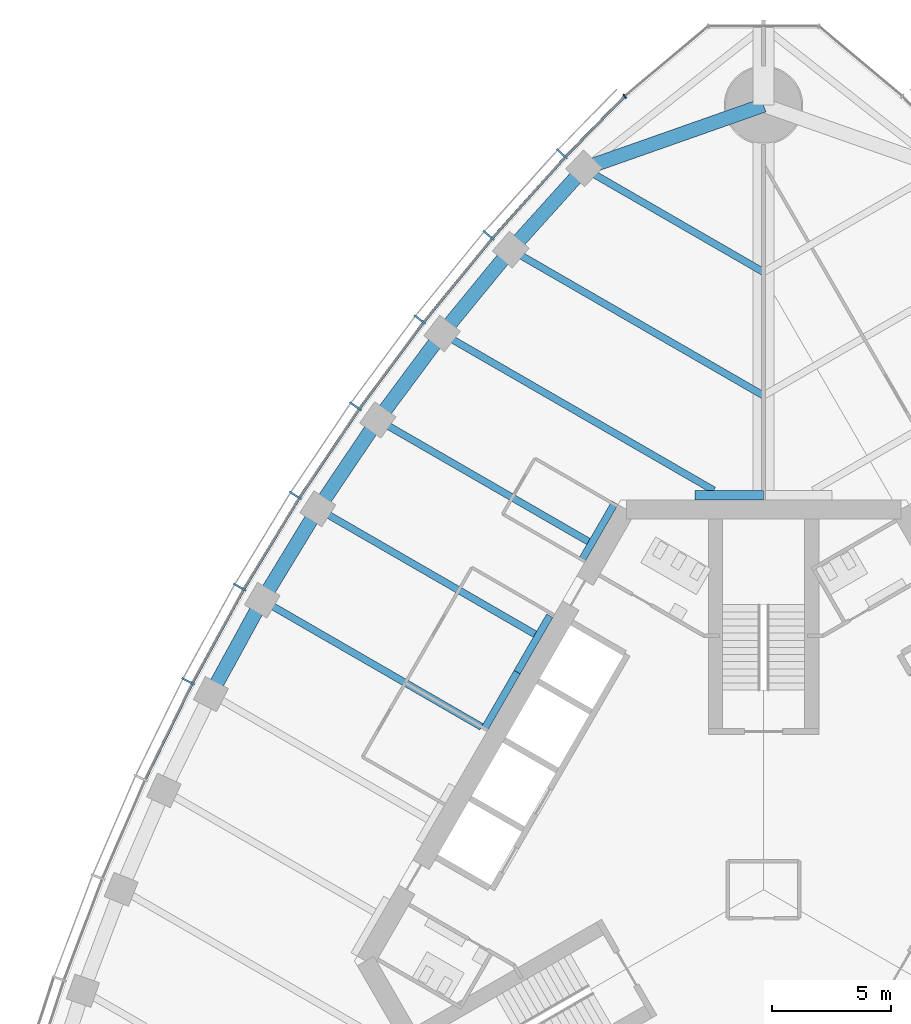
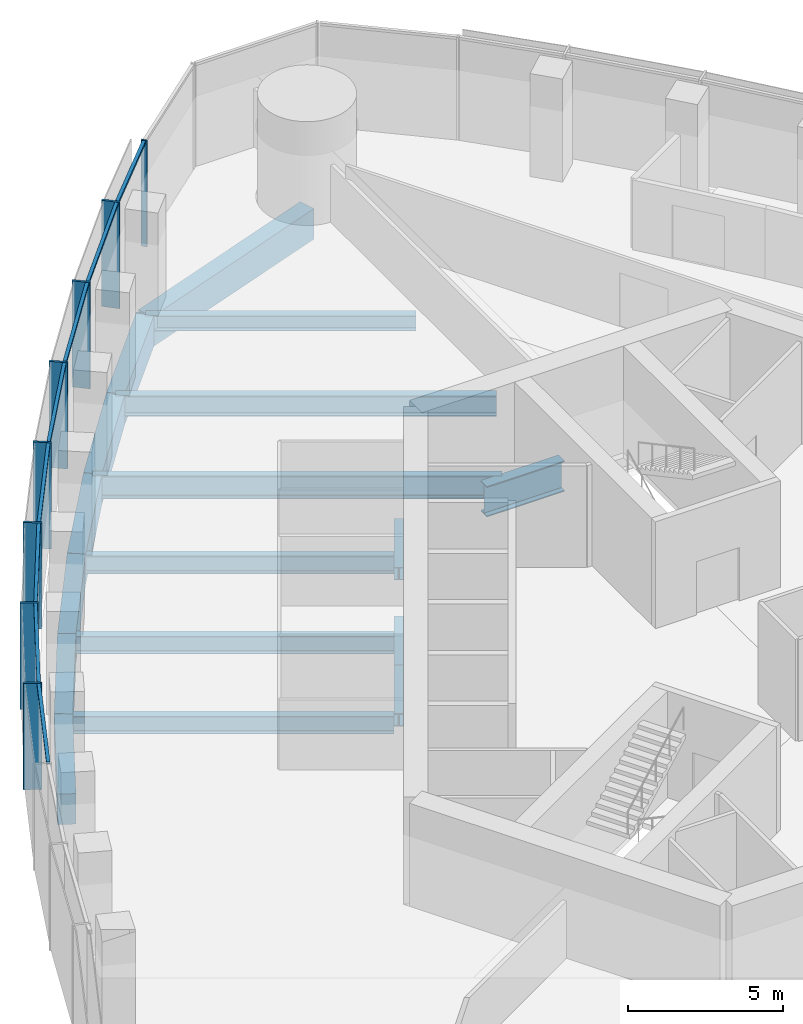
# One storey, part 5 of 20: 17 beams, 16 members, 2 elements without a shape of their own.
"""IFC4 building model written with IfcOpenShell, lengths in metres."""

from ifc_helpers import new_model, si_unit, direction, frame, origin, origin_2d, place, context, subcontext, project, spatial, rectangle, i_section, extrude, material, material_profile, profile_set, type_object, element, aggregate, save


model = new_model("IFC4")

# Units and contexts
model_context = context("Model", 3, precision=1e-05, world=origin(), true_north=direction((0.0, 1.0)))
body_context = subcontext(model_context, "Body", "Model", "MODEL_VIEW")
ifc_project = project(units=[si_unit("LENGTHUNIT", "METRE"), si_unit("AREAUNIT", "SQUARE_METRE"), si_unit("VOLUMEUNIT", "CUBIC_METRE"), si_unit("PLANEANGLEUNIT", "RADIAN"), si_unit("MASSUNIT", "GRAM", prefix="KILO")], contexts=[model_context])

# Site, building, storey
site_placement = place(None, origin())
site = spatial("IfcSite", under=ifc_project, at=site_placement, CompositionType="ELEMENT")
building_placement = place(site_placement, origin())
building = spatial("IfcBuilding", under=site, at=building_placement, Name="Trefoil Bronze Tower", CompositionType="ELEMENT")
storey_placement = place(building_placement, frame((0.0, 0.0, 210.699951171875)))
storey = spatial("IfcBuildingStorey", under=building, at=storey_placement, Name="L48", CompositionType="ELEMENT", Elevation=210.699951171875)

# Curtain wall, members
ifc_material_1 = material(Name="Tinted solar-control glass", Category="glass")
curtain_wall_type_1 = type_object("IfcCurtainWallType", Name="Bronze office curtain wall", PredefinedType="USERDEFINED", material=ifc_material_1)
curtain_wall_1_placement = place(storey_placement, origin())
curtain_wall_1 = element("IfcCurtainWall", 1, at=curtain_wall_1_placement, inside=storey, type_object=curtain_wall_type_1, Name="CW-A L48 F3", ObjectType="CURTAIN WALL", PredefinedType="USERDEFINED")
ifc_material_2 = material(Name="Bronze-finish aluminium", Category="aluminium")
ifc_material_profile_1 = material_profile(ifc_material_2, rectangle(XDim=0.60009765625, YDim=0.080078125, at=origin_2d()), Name="CW-A mullion")
ifc_profile_set_1 = profile_set([ifc_material_profile_1], Name="Bronze-finish aluminium")
member_type_1 = type_object("IfcMemberType", Name="Bronze office curtain wall mullion", PredefinedType="MULLION", material=ifc_profile_set_1)
member_1_placement = place(storey_placement, frame((-8.482177734375, 30.95654296875, 0.0), z_axis=(0.0, 0.0, 1.0), x_axis=(0.729859580661, -0.683597098091, 0.0)))
member_1 = element("IfcMember", 2, at=member_1_placement, type_object=member_type_1, Name="CW-A L48 F3 mullion 2", PredefinedType="MULLION", context=body_context, shape_type="SweptSolid", body=[
    extrude(rectangle(XDim=0.60009765625, YDim=0.080078125, at=origin_2d()), origin(), (0.0, 0.0, 1.0), 4.179931640625),
])
member_2_placement = place(storey_placement, frame((-11.564697265625, 27.525146484375, 0.0), z_axis=(0.0, 0.0, 1.0), x_axis=(0.75935470958, -0.650676897576, 0.0)))
member_2 = element("IfcMember", 3, at=member_2_placement, type_object=member_type_1, Name="CW-A L48 F3 mullion 3", PredefinedType="MULLION", context=body_context, shape_type="SweptSolid", body=[
    extrude(rectangle(XDim=0.60009765625, YDim=0.080078125, at=origin_2d()), origin(), (0.0, 0.0, 1.0), 4.179931640625),
])
member_3_placement = place(storey_placement, frame((-14.45849609375, 23.98388671875, 0.0), z_axis=(0.0, 0.0, 1.0), x_axis=(0.788821461078, -0.614622406476, 0.0)))
member_3 = element("IfcMember", 4, at=member_3_placement, type_object=member_type_1, Name="CW-A L48 F3 mullion 4", PredefinedType="MULLION", context=body_context, shape_type="SweptSolid", body=[
    extrude(rectangle(XDim=0.60009765625, YDim=0.080078125, at=origin_2d()), origin(), (0.0, 0.0, 1.0), 4.179931640625),
])
member_4_placement = place(storey_placement, frame((-17.167236328125, 20.335693359375, 0.0), z_axis=(0.0, 0.0, 1.0), x_axis=(0.81640398396, -0.577481198806, 0.0)))
member_4 = element("IfcMember", 5, at=member_4_placement, type_object=member_type_1, Name="CW-A L48 F3 mullion 5", PredefinedType="MULLION", context=body_context, shape_type="SweptSolid", body=[
    extrude(rectangle(XDim=0.60009765625, YDim=0.080078125, at=origin_2d()), origin(), (0.0, 0.0, 1.0), 4.179931640625),
])
member_5_placement = place(storey_placement, frame((-19.694091796875, 16.58251953125, 0.0), z_axis=(0.0, 0.0, 1.0), x_axis=(0.842132664593, -0.539270410114, 0.0)))
member_5 = element("IfcMember", 6, at=member_5_placement, type_object=member_type_1, Name="CW-A L48 F3 mullion 6", PredefinedType="MULLION", context=body_context, shape_type="SweptSolid", body=[
    extrude(rectangle(XDim=0.60009765625, YDim=0.080078125, at=origin_2d()), origin(), (0.0, 0.0, 1.0), 4.179931640625),
])
member_6_placement = place(storey_placement, frame((-22.041015625, 12.725341796875, 0.0), z_axis=(0.0, 0.0, 1.0), x_axis=(0.866025403784, -0.5, 0.0)))
member_6 = element("IfcMember", 7, at=member_6_placement, type_object=member_type_1, Name="CW-A L48 F3 mullion 7", PredefinedType="MULLION", context=body_context, shape_type="SweptSolid", body=[
    extrude(rectangle(XDim=0.60009765625, YDim=0.080078125, at=origin_2d()), origin(), (0.0, 0.0, 1.0), 4.179931640625),
])
member_7_placement = place(storey_placement, frame((-24.2080078125, 8.764404296875, 0.0), z_axis=(0.0, 0.0, 1.0), x_axis=(0.888088206965, -0.459673075837, 0.0)))
member_7 = element("IfcMember", 8, at=member_7_placement, type_object=member_type_1, Name="CW-A L48 F3 mullion 8", PredefinedType="MULLION", context=body_context, shape_type="SweptSolid", body=[
    extrude(rectangle(XDim=0.60009765625, YDim=0.080078125, at=origin_2d()), origin(), (0.0, 0.0, 1.0), 4.179931640625),
])
ifc_material_3 = material(Name="Bronze-finish aluminium", Category="aluminium")
ifc_material_profile_2 = material_profile(ifc_material_3, rectangle(XDim=0.1201171875, YDim=0.10009765625, at=origin_2d()), Name="CW-A transom")
ifc_profile_set_2 = profile_set([ifc_material_profile_2], Name="Bronze-finish aluminium")
member_type_2 = type_object("IfcMemberType", Name="Bronze office curtain wall transom", PredefinedType="USERDEFINED", material=ifc_profile_set_2)
member_8_placement = place(storey_placement, frame((-5.873046875, 33.342529296875, 4.130126953125), z_axis=(-0.698646935368, -0.715466602785, 0.0), x_axis=(0.715466602785, -0.698646935368, 0.0)))
member_8 = element("IfcMember", 9, at=member_8_placement, type_object=member_type_2, Name="CW-A L48 F3 transom 1", ObjectType="TRANSOM", PredefinedType="USERDEFINED", context=body_context, shape_type="SweptSolid", body=[
    extrude(rectangle(XDim=0.1201171875, YDim=0.10009765625, at=origin_2d()), origin(), (0.0, 0.0, 1.0), 3.483642578125),
])
member_9_placement = place(storey_placement, frame((-8.364501953125, 30.78857421875, 4.130126953125), z_axis=(-0.66825109551, -0.743935799213, 0.0), x_axis=(0.743935799213, -0.66825109551, 0.0)))
member_9 = element("IfcMember", 10, at=member_9_placement, type_object=member_type_2, Name="CW-A L48 F3 transom 2", ObjectType="TRANSOM", PredefinedType="USERDEFINED", context=body_context, shape_type="SweptSolid", body=[
    extrude(rectangle(XDim=0.1201171875, YDim=0.10009765625, at=origin_2d()), origin(), (0.0, 0.0, 1.0), 4.519287109375),
])
member_10_placement = place(storey_placement, frame((-11.439453125, 27.3623046875, 4.130126953125), z_axis=(-0.632756871921, -0.774350528531, 0.0), x_axis=(0.774350528531, -0.632756871921, 0.0)))
member_10 = element("IfcMember", 11, at=member_10_placement, type_object=member_type_2, Name="CW-A L48 F3 transom 3", ObjectType="TRANSOM", PredefinedType="USERDEFINED", context=body_context, shape_type="SweptSolid", body=[
    extrude(rectangle(XDim=0.1201171875, YDim=0.10009765625, at=origin_2d()), origin(), (0.0, 0.0, 1.0), 4.4794921875),
])
member_11_placement = place(storey_placement, frame((-14.325927734375, 23.826904296875, 4.130126953125), z_axis=(-0.59614822717, -0.802874393191, 0.0), x_axis=(0.802874393191, -0.59614822717, 0.0)))
member_11 = element("IfcMember", 12, at=member_11_placement, type_object=member_type_2, Name="CW-A L48 F3 transom 4", ObjectType="TRANSOM", PredefinedType="USERDEFINED", context=body_context, shape_type="SweptSolid", body=[
    extrude(rectangle(XDim=0.1201171875, YDim=0.10009765625, at=origin_2d()), origin(), (0.0, 0.0, 1.0), 4.449951171875),
])
member_12_placement = place(storey_placement, frame((-17.027587890625, 20.18505859375, 4.130126953125), z_axis=(-0.558509087547, -0.829498402125, 0.0), x_axis=(0.829498402125, -0.558509087547, 0.0)))
member_12 = element("IfcMember", 13, at=member_12_placement, type_object=member_type_2, Name="CW-A L48 F3 transom 5", ObjectType="TRANSOM", PredefinedType="USERDEFINED", context=body_context, shape_type="SweptSolid", body=[
    extrude(rectangle(XDim=0.1201171875, YDim=0.10009765625, at=origin_2d()), origin(), (0.0, 0.0, 1.0), 4.4306640625),
])
member_13_placement = place(storey_placement, frame((-19.5478515625, 16.4384765625, 4.130126953125), z_axis=(-0.519740214649, -0.854324358354, 0.0), x_axis=(0.854324358354, -0.519740214649, 0.0)))
member_13 = element("IfcMember", 14, at=member_13_placement, type_object=member_type_2, Name="CW-A L48 F3 transom 6", ObjectType="TRANSOM", PredefinedType="USERDEFINED", context=body_context, shape_type="SweptSolid", body=[
    extrude(rectangle(XDim=0.1201171875, YDim=0.10009765625, at=origin_2d()), origin(), (0.0, 0.0, 1.0), 4.421142578125),
])
member_14_placement = place(storey_placement, frame((-21.887939453125, 12.588134765625, 4.130126953125), z_axis=(-0.479973729071, -0.877282861683, 0.0), x_axis=(0.877282861683, -0.479973729071, 0.0)))
member_14 = element("IfcMember", 15, at=member_14_placement, type_object=member_type_2, Name="CW-A L48 F3 transom 7", ObjectType="TRANSOM", PredefinedType="USERDEFINED", context=body_context, shape_type="SweptSolid", body=[
    extrude(rectangle(XDim=0.1201171875, YDim=0.10009765625, at=origin_2d()), origin(), (0.0, 0.0, 1.0), 4.421142578125),
])
member_15_placement = place(storey_placement, frame((-24.048828125, 8.634521484375, 4.130126953125), z_axis=(-0.439150835991, -0.898413347657, 0.0), x_axis=(0.898413347657, -0.439150835991, 0.0)))
member_15 = element("IfcMember", 16, at=member_15_placement, type_object=member_type_2, Name="CW-A L48 F3 transom 8", ObjectType="TRANSOM", PredefinedType="USERDEFINED", context=body_context, shape_type="SweptSolid", body=[
    extrude(rectangle(XDim=0.1201171875, YDim=0.10009765625, at=origin_2d()), origin(), (0.0, 0.0, 1.0), 4.430908203125),
])
aggregate(curtain_wall_1, [member_1, member_2, member_3, member_4, member_5, member_6, member_7, member_8, member_9, member_10, member_11, member_12, member_13, member_14, member_15])

# Curtain wall, member
ifc_material_4 = material(Name="Tinted solar-control glass", Category="glass")
curtain_wall_type_2 = type_object("IfcCurtainWallType", Name="Bronze rounded corner curtain wall", PredefinedType="USERDEFINED", material=ifc_material_4)
curtain_wall_2_placement = place(storey_placement, origin())
curtain_wall_2 = element("IfcCurtainWall", 17, at=curtain_wall_2_placement, inside=storey, type_object=curtain_wall_type_2, Name="CW-B L48 K2", ObjectType="CURTAIN WALL", PredefinedType="USERDEFINED")
ifc_material_5 = material(Name="Bronze-finish aluminium", Category="aluminium")
ifc_material_profile_3 = material_profile(ifc_material_5, rectangle(XDim=0.199951171875, YDim=0.06005859375, at=origin_2d()), Name="CW-B mullion")
ifc_profile_set_3 = profile_set([ifc_material_profile_3], Name="Bronze-finish aluminium")
member_type_3 = type_object("IfcMemberType", Name="Bronze rounded corner curtain wall mullion", PredefinedType="MULLION", material=ifc_profile_set_3)
member_16_placement = place(storey_placement, frame((-5.837890625, 33.3779296875, 0.0), z_axis=(0.0, 0.0, 1.0), x_axis=(0.642787609687, -0.766044443119, 0.0)))
member_16 = element("IfcMember", 18, at=member_16_placement, type_object=member_type_3, Name="CW-B L48 K2 mullion 4", PredefinedType="MULLION", context=body_context, shape_type="SweptSolid", body=[
    extrude(rectangle(XDim=0.199951171875, YDim=0.06005859375, at=origin_2d()), origin(), (0.0, 0.0, 1.0), 4.179931640625),
])
aggregate(curtain_wall_2, [member_16])

# Beams
ifc_material_6 = material(Name="Steel C355", Category="steel")
ifc_material_profile_4 = material_profile(ifc_material_6, i_section(OverallWidth=0.300048828125, OverallDepth=0.5, WebThickness=0.014404296875, FlangeThickness=0.028076171875, FilletRadius=0.027099609375, at=origin_2d()), Name="HEB 500")
ifc_profile_set_4 = profile_set([ifc_material_profile_4], Name="Steel C355")
beam_type_1 = type_object("IfcBeamType", Name="Core seat beam HEB 500", PredefinedType="BEAM", material=ifc_profile_set_4)
for number, where, z_axis, x_axis, name in (
    (19, (-6.249755859375, 16.27490234375, -0.449951171875), (-0.500035825175, -0.866004719122, 0.0), (0.866004719122, -0.500035825175, 0.0), "Core seat beam F3/-2 L48"),
    (20, (-8.9921875, 11.52490234375, -0.449951171875), (-0.500035825175, -0.866004719122, 0.0), (0.866004719122, -0.500035825175, 0.0), "Core seat beam F3/-1 L48"),
    (21, (-10.363525390625, 9.14990234375, -0.449951171875), (-0.499969057507, -0.866043267704, 0.0), (0.866043267704, -0.499969057507, 0.0), "Core seat beam F3/+0 L48"),
):
    element("IfcBeam", number, at=place(storey_placement, frame(where, z_axis=z_axis, x_axis=x_axis)), inside=storey, type_object=beam_type_1, Name=name, PredefinedType="BEAM", context=body_context, shape_type="SweptSolid", body=[
        extrude(i_section(OverallWidth=0.300048828125, OverallDepth=0.5, WebThickness=0.014404296875, FlangeThickness=0.028076171875, FilletRadius=0.027099609375, at=origin_2d()), origin(), (0.0, 0.0, 1.0), 2.742431640625),
    ])
ifc_material_7 = material(Name="Steel C355", Category="steel")
ifc_material_profile_5 = material_profile(ifc_material_7, i_section(OverallWidth=0.39990234375, OverallDepth=1.199951171875, WebThickness=0.02001953125, FlangeThickness=0.0400390625, FilletRadius=0.010009765625, at=origin_2d()), Name="WPG 1200")
ifc_profile_set_5 = profile_set([ifc_material_profile_5], Name="Steel C355")
beam_type_2 = type_object("IfcBeamType", Name="Core seat beam WPG 1200", PredefinedType="BEAM", material=ifc_profile_set_5)
beam_1_placement = place(storey_placement, frame((0.0, 16.60009765625, -0.800048828125), z_axis=(-1.0, 0.0, 0.0), x_axis=(0.0, -1.0, 0.0)))
element("IfcBeam", 22, at=beam_1_placement, inside=storey, type_object=beam_type_2, Name="Core seat beam F3/-3 L48", PredefinedType="BEAM", context=body_context, shape_type="SweptSolid", body=[
    extrude(i_section(OverallWidth=0.39990234375, OverallDepth=1.199951171875, WebThickness=0.02001953125, FlangeThickness=0.0400390625, FilletRadius=0.010009765625, at=origin_2d()), origin(), (0.0, 0.0, 1.0), 2.88671875),
])
ifc_material_8 = material(Name="Concrete B80", Category="concrete")
ifc_material_profile_6 = material_profile(ifc_material_8, rectangle(XDim=0.60009765625, YDim=1.199951171875, at=origin_2d()), Name="RC 600x1200")
ifc_profile_set_6 = profile_set([ifc_material_profile_6], Name="Concrete B80")
beam_type_3 = type_object("IfcBeamType", Name="End spandrel beam RC 600x1200", PredefinedType="SPANDREL", material=ifc_profile_set_6)
beam_2_placement = place(storey_placement, frame((0.0, 33.0, -0.800048828125), z_axis=(-0.943234397359, -0.332127794137, 0.0), x_axis=(0.332127794137, -0.943234397359, 0.0)))
element("IfcBeam", 23, at=beam_2_placement, inside=storey, type_object=beam_type_3, Name="Spandrel F3.1 L48", PredefinedType="SPANDREL", context=body_context, shape_type="SweptSolid", body=[
    extrude(rectangle(XDim=0.60009765625, YDim=1.199951171875, at=origin_2d()), origin(), (0.0, 0.0, 1.0), 8.006591796875),
])
ifc_material_9 = material(Name="Steel C355", Category="steel")
ifc_material_profile_7 = material_profile(ifc_material_9, i_section(OverallWidth=0.300048828125, OverallDepth=0.590087890625, WebThickness=0.012939453125, FlangeThickness=0.02490234375, FilletRadius=0.027099609375, at=origin_2d()), Name="HEA 600")
ifc_profile_set_7 = profile_set([ifc_material_profile_7], Name="Steel C355")
beam_type_4 = type_object("IfcBeamType", Name="Floor beam HEA 600", PredefinedType="BEAM", material=ifc_profile_set_7)
beam_3_placement = place(storey_placement, frame((-7.552001953125, 30.3408203125, -0.494873046875), z_axis=(0.866027535932, -0.499996306993, 0.0), x_axis=(0.499996306993, 0.866027535932, 0.0)))
element("IfcBeam", 24, at=beam_3_placement, inside=storey, type_object=beam_type_4, Name="Floor beam F3/-5 L48", PredefinedType="BEAM", context=body_context, shape_type="SweptSolid", body=[
    extrude(i_section(OverallWidth=0.300048828125, OverallDepth=0.590087890625, WebThickness=0.012939453125, FlangeThickness=0.02490234375, FilletRadius=0.027099609375, at=origin_2d()), origin(), (0.0, 0.0, 1.0), 8.72021484375),
])
ifc_material_10 = material(Name="Steel C355", Category="steel")
ifc_material_profile_8 = material_profile(ifc_material_10, i_section(OverallWidth=0.300048828125, OverallDepth=0.699951171875, WebThickness=0.01708984375, FlangeThickness=0.031982421875, FilletRadius=0.027099609375, at=origin_2d()), Name="HEB 700")
ifc_profile_set_8 = profile_set([ifc_material_profile_8], Name="Steel C355")
beam_type_5 = type_object("IfcBeamType", Name="Floor beam HEB 700", PredefinedType="BEAM", material=ifc_profile_set_8)
beam_4_placement = place(storey_placement, frame((-16.2265625, 19.7607421875, -0.550048828125), z_axis=(0.866027856548, -0.499995751665, 0.0), x_axis=(0.499995751665, 0.866027856548, 0.0)))
element("IfcBeam", 25, at=beam_4_placement, inside=storey, type_object=beam_type_5, Name="Floor beam F3/-2 L48", PredefinedType="BEAM", context=body_context, shape_type="SweptSolid", body=[
    extrude(i_section(OverallWidth=0.300048828125, OverallDepth=0.699951171875, WebThickness=0.01708984375, FlangeThickness=0.031982421875, FilletRadius=0.027099609375, at=origin_2d()), origin(), (0.0, 0.0, 1.0), 10.23291015625),
])
beam_5_placement = place(storey_placement, frame((-18.748046875, 16.020263671875, -0.550048828125), z_axis=(0.866027918957, -0.499995643569, 0.0), x_axis=(0.499995643569, 0.866027918957, 0.0)))
element("IfcBeam", 26, at=beam_5_placement, inside=storey, type_object=beam_type_5, Name="Floor beam F3/-1 L48", PredefinedType="BEAM", context=body_context, shape_type="SweptSolid", body=[
    extrude(i_section(OverallWidth=0.300048828125, OverallDepth=0.699951171875, WebThickness=0.01708984375, FlangeThickness=0.031982421875, FilletRadius=0.027099609375, at=origin_2d()), origin(), (0.0, 0.0, 1.0), 10.54638671875),
])
beam_6_placement = place(storey_placement, frame((-21.08837890625, 12.17529296875, -0.550048828125), z_axis=(0.866034044198, -0.499985034066, 0.0), x_axis=(0.499985034066, 0.866034044198, 0.0)))
element("IfcBeam", 27, at=beam_6_placement, inside=storey, type_object=beam_type_5, Name="Floor beam F3/+0 L48", PredefinedType="BEAM", context=body_context, shape_type="SweptSolid", body=[
    extrude(i_section(OverallWidth=0.300048828125, OverallDepth=0.699951171875, WebThickness=0.01708984375, FlangeThickness=0.031982421875, FilletRadius=0.027099609375, at=origin_2d()), origin(), (0.0, 0.0, 1.0), 10.650634765625),
])
ifc_material_11 = material(Name="Steel C355", Category="steel")
ifc_material_profile_9 = material_profile(ifc_material_11, i_section(OverallWidth=0.300048828125, OverallDepth=0.800048828125, WebThickness=0.017578125, FlangeThickness=0.032958984375, FilletRadius=0.030029296875, at=origin_2d()), Name="HEB 800")
ifc_profile_set_9 = profile_set([ifc_material_profile_9], Name="Steel C355")
beam_type_6 = type_object("IfcBeamType", Name="Floor beam HEB 800", PredefinedType="BEAM", material=ifc_profile_set_9)
beam_7_placement = place(storey_placement, frame((-10.632080078125, 26.923095703125, -0.599853515625), z_axis=(0.866025635187, -0.499999599199, 0.0), x_axis=(0.499999599199, 0.866025635187, 0.0)))
element("IfcBeam", 28, at=beam_7_placement, inside=storey, type_object=beam_type_6, Name="Floor beam F3/-4 L48", PredefinedType="BEAM", context=body_context, shape_type="SweptSolid", body=[
    extrude(i_section(OverallWidth=0.300048828125, OverallDepth=0.800048828125, WebThickness=0.017578125, FlangeThickness=0.032958984375, FilletRadius=0.030029296875, at=origin_2d()), origin(), (0.0, 0.0, 1.0), 12.27685546875),
])
ifc_material_12 = material(Name="Steel C355", Category="steel")
ifc_material_profile_10 = material_profile(ifc_material_12, i_section(OverallWidth=0.300048828125, OverallDepth=0.89990234375, WebThickness=0.0185546875, FlangeThickness=0.034912109375, FilletRadius=0.030029296875, at=origin_2d()), Name="HEB 900")
ifc_profile_set_10 = profile_set([ifc_material_profile_10], Name="Steel C355")
beam_type_7 = type_object("IfcBeamType", Name="Floor beam HEB 900", PredefinedType="BEAM", material=ifc_profile_set_10)
beam_8_placement = place(storey_placement, frame((-13.522216796875, 23.3955078125, -0.64990234375), z_axis=(0.866028399451, -0.499994811317, 0.0), x_axis=(0.499994811317, 0.866028399451, 0.0)))
element("IfcBeam", 29, at=beam_8_placement, inside=storey, type_object=beam_type_7, Name="Floor beam F3/-3 L48", PredefinedType="BEAM", context=body_context, shape_type="SweptSolid", body=[
    extrude(i_section(OverallWidth=0.300048828125, OverallDepth=0.89990234375, WebThickness=0.0185546875, FlangeThickness=0.034912109375, FilletRadius=0.030029296875, at=origin_2d()), origin(), (0.0, 0.0, 1.0), 13.191162109375),
])
ifc_material_13 = material(Name="Concrete B80", Category="concrete")
ifc_material_profile_11 = material_profile(ifc_material_13, rectangle(XDim=0.60009765625, YDim=1.199951171875, at=origin_2d()), Name="RC 600x1200")
ifc_profile_set_11 = profile_set([ifc_material_profile_11], Name="Concrete B80")
beam_type_8 = type_object("IfcBeamType", Name="Spandrel beam RC 600x1200", PredefinedType="SPANDREL", material=ifc_profile_set_11)
beam_9_placement = place(storey_placement, frame((-7.552001953125, 30.3408203125, -0.800048828125), z_axis=(-0.669460045872, -0.742848064534, 0.0), x_axis=(0.742848064534, -0.669460045872, 0.0)))
element("IfcBeam", 30, at=beam_9_placement, inside=storey, type_object=beam_type_8, Name="Spandrel F3.2 L48", PredefinedType="SPANDREL", context=body_context, shape_type="SweptSolid", body=[
    extrude(rectangle(XDim=0.60009765625, YDim=1.199951171875, at=origin_2d()), origin(), (0.0, 0.0, 1.0), 4.600830078125),
])
beam_10_placement = place(storey_placement, frame((-10.632080078125, 26.923095703125, -0.800048828125), z_axis=(-0.633753657863, -0.773534938542, 0.0), x_axis=(0.773534938542, -0.633753657863, 0.0)))
element("IfcBeam", 31, at=beam_10_placement, inside=storey, type_object=beam_type_8, Name="Spandrel F3.3 L48", PredefinedType="SPANDREL", context=body_context, shape_type="SweptSolid", body=[
    extrude(rectangle(XDim=0.60009765625, YDim=1.199951171875, at=origin_2d()), origin(), (0.0, 0.0, 1.0), 4.560302734375),
])
beam_11_placement = place(storey_placement, frame((-13.522216796875, 23.3955078125, -0.800048828125), z_axis=(-0.596926078257, -0.802296240236, 0.0), x_axis=(0.802296240236, -0.596926078257, 0.0)))
element("IfcBeam", 32, at=beam_11_placement, inside=storey, type_object=beam_type_8, Name="Spandrel F3.4 L48", PredefinedType="SPANDREL", context=body_context, shape_type="SweptSolid", body=[
    extrude(rectangle(XDim=0.60009765625, YDim=1.199951171875, at=origin_2d()), origin(), (0.0, 0.0, 1.0), 4.530517578125),
])
beam_12_placement = place(storey_placement, frame((-16.2265625, 19.7607421875, -0.800048828125), z_axis=(-0.558964302753, -0.829191719838, 0.0), x_axis=(0.829191719838, -0.558964302753, 0.0)))
element("IfcBeam", 33, at=beam_12_placement, inside=storey, type_object=beam_type_8, Name="Spandrel F3.5 L48", PredefinedType="SPANDREL", context=body_context, shape_type="SweptSolid", body=[
    extrude(rectangle(XDim=0.60009765625, YDim=1.199951171875, at=origin_2d()), origin(), (0.0, 0.0, 1.0), 4.510986328125),
])
for number, where, z_axis, x_axis, name in (
    (34, (-18.748046875, 16.020263671875, -0.800048828125), (-0.519933181394, -0.854206934464, 0.0), (0.854206934464, -0.519933181394, 0.0), "Spandrel F3.6 L48"),
    (35, (-21.08837890625, 12.17529296875, -0.800048828125), (-0.479801903802, -0.87737684783, 0.0), (0.87737684783, -0.479801903802, 0.0), "Spandrel F3.7 L48"),
):
    element("IfcBeam", number, at=place(storey_placement, frame(where, z_axis=z_axis, x_axis=x_axis)), inside=storey, type_object=beam_type_8, Name=name, PredefinedType="SPANDREL", context=body_context, shape_type="SweptSolid", body=[
        extrude(rectangle(XDim=0.60009765625, YDim=1.199951171875, at=origin_2d()), origin(), (0.0, 0.0, 1.0), 4.501220703125),
    ])

save(model, "model.ifc")
